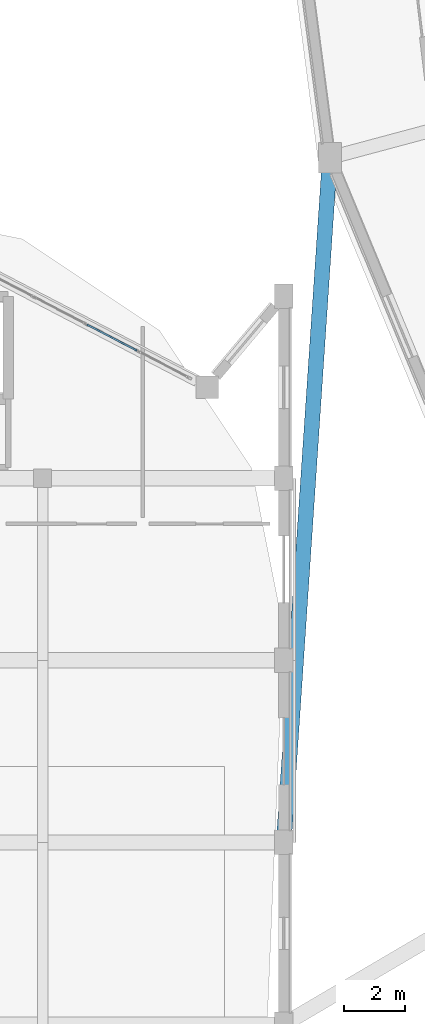
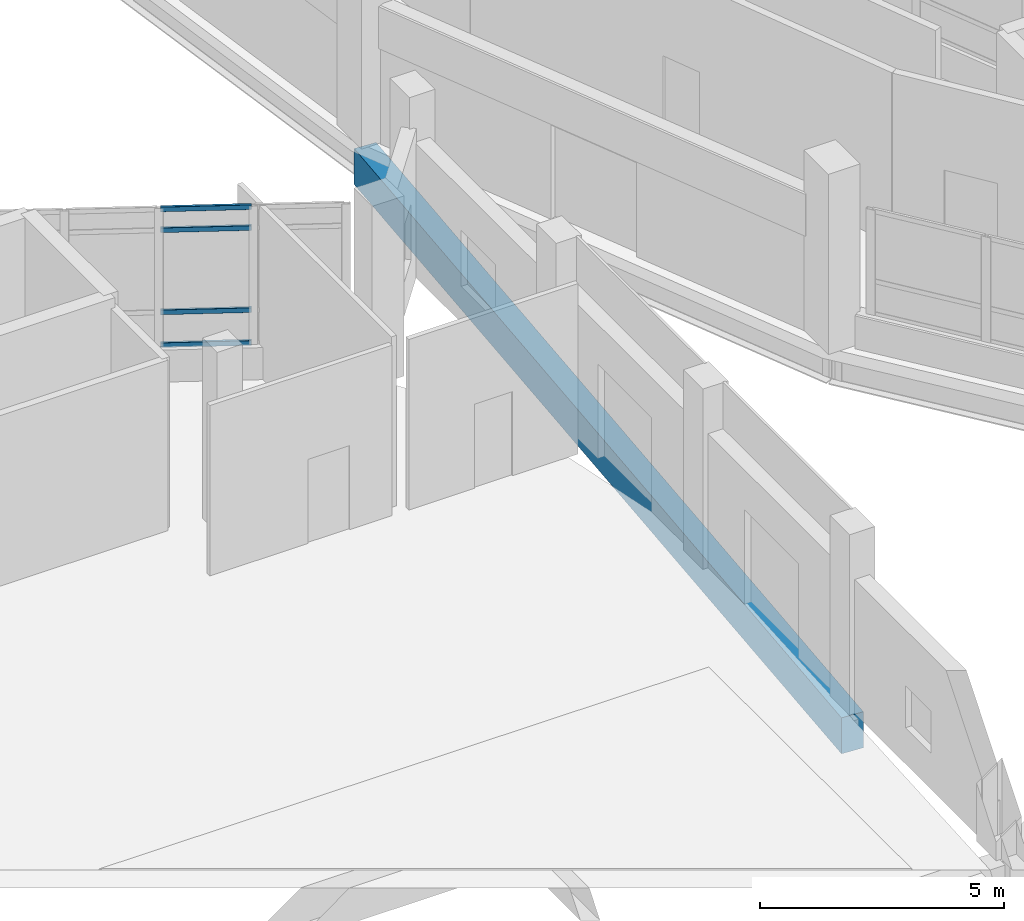
# One storey, part 25 of 129: 4 members, 1 beam, 1 element without a shape of its own.
"""IFC4 building model written with IfcOpenShell, lengths in metres."""

from ifc_helpers import new_model, si_unit, direction, frame, origin, origin_2d, place, context, subcontext, project, spatial, rectangle, hollow_rectangle, extrude, material, layer, layer_set, material_profile, profile_set, type_object, element, aggregate, save


model = new_model("IFC4")

# Units and contexts
model_context = context("Model", 3, precision=1e-05, world=origin(), true_north=direction((0.0, 1.0)))
body_context = subcontext(model_context, "Body", "Model", "MODEL_VIEW")
ifc_project = project(units=[si_unit("LENGTHUNIT", "METRE"), si_unit("AREAUNIT", "SQUARE_METRE"), si_unit("VOLUMEUNIT", "CUBIC_METRE"), si_unit("PLANEANGLEUNIT", "RADIAN"), si_unit("MASSUNIT", "GRAM", prefix="KILO")], contexts=[model_context])

# Site, building, storey
site_placement = place(None, origin())
site = spatial("IfcSite", under=ifc_project, at=site_placement, CompositionType="ELEMENT")
building_placement = place(site_placement, origin())
building = spatial("IfcBuilding", under=site, at=building_placement, Name="Vespera Passage Community Centre", CompositionType="ELEMENT")
storey_placement = place(building_placement, origin())
storey = spatial("IfcBuildingStorey", under=building, at=storey_placement, Name="L00", CompositionType="ELEMENT", Elevation=0.0)

# Beam
ifc_material_1 = material(Name="Concrete f'c 45 MPa", Category="concrete")
ifc_material_profile_1 = material_profile(ifc_material_1, rectangle(XDim=0.5, YDim=0.89990234375, at=origin_2d()), Name="RC500X900")
ifc_profile_set_1 = profile_set([ifc_material_profile_1], Name="Concrete f'c 45 MPa")
beam_type = type_object("IfcBeamType", Name="BM-G-500X900", PredefinedType="BEAM", material=ifc_profile_set_1)
beam_placement = place(storey_placement, frame((31.949951171875, 31.0, -0.7900390625), z_axis=(0.067231784553, 0.997737383857, 0.0), x_axis=(-0.997737383857, 0.067231784553, 0.0)))
element("IfcBeam", 1, at=beam_placement, inside=storey, type_object=beam_type, Name="Subgrade Structural Tie Girder 1", PredefinedType="BEAM", context=body_context, shape_type="SweptSolid", body=[
    extrude(rectangle(XDim=0.5, YDim=0.89990234375, at=origin_2d()), origin(), (0.0, 0.0, 1.0), 22.61962890625),
])

# Curtain wall, members
ifc_material_2 = material(Name="Anodized aluminium 6063-T6", Category="aluminium")
ifc_layer = layer(ifc_material_2, 0.159912109375)
ifc_layer_set = layer_set([ifc_layer], Name="Anodized aluminium 6063-T6")
curtain_wall_type = type_object("IfcCurtainWallType", Name="CW-83E", PredefinedType="NOTDEFINED", material=ifc_layer_set)
curtain_wall_placement = place(storey_placement, origin())
curtain_wall = element("IfcCurtainWall", 2, at=curtain_wall_placement, inside=storey, type_object=curtain_wall_type, Name="V1 L00 N Apse Ribbon Curtain Wall 3", PredefinedType="NOTDEFINED")
ifc_material_3 = material(Name="Anodized aluminium 6063-T6", Category="aluminium")
ifc_material_profile_2 = material_profile(ifc_material_3, hollow_rectangle(XDim=0.06005859375, YDim=0.1201171875, WallThickness=0.00390625, InnerFilletRadius=0.001953125, OuterFilletRadius=0.00390625, at=origin_2d()), Name="ALU120X60X4")
ifc_profile_set_2 = profile_set([ifc_material_profile_2], Name="Anodized aluminium 6063-T6")
member_type = type_object("IfcMemberType", Name="MB-CWT-120E", PredefinedType="USERDEFINED", material=ifc_profile_set_2)
member_1_placement = place(storey_placement, frame((25.462890625, 48.065185546875, 0.830078125), z_axis=(0.887008197889, -0.461753675544, 0.0), x_axis=(0.461753675544, 0.887008197889, 0.0)))
member_1 = element("IfcMember", 3, at=member_1_placement, type_object=member_type, Name="CW-83E transom 5.1", ObjectType="TRANSOM", PredefinedType="USERDEFINED", context=body_context, shape_type="SweptSolid", body=[
    extrude(hollow_rectangle(XDim=0.06005859375, YDim=0.1201171875, WallThickness=0.00390625, InnerFilletRadius=0.001953125, OuterFilletRadius=0.00390625, at=origin_2d()), origin(), (0.0, 0.0, 1.0), 1.859619140625),
])
member_2_placement = place(storey_placement, frame((25.462890625, 48.065185546875, 1.64990234375), z_axis=(0.887008197889, -0.461753675544, 0.0), x_axis=(0.461753675544, 0.887008197889, 0.0)))
member_2 = element("IfcMember", 4, at=member_2_placement, type_object=member_type, Name="CW-83E transom 5.2", ObjectType="TRANSOM", PredefinedType="USERDEFINED", context=body_context, shape_type="SweptSolid", body=[
    extrude(hollow_rectangle(XDim=0.06005859375, YDim=0.1201171875, WallThickness=0.00390625, InnerFilletRadius=0.001953125, OuterFilletRadius=0.00390625, at=origin_2d()), origin(), (0.0, 0.0, 1.0), 1.859619140625),
])
member_3_placement = place(storey_placement, frame((25.462890625, 48.065185546875, 3.699951171875), z_axis=(0.887008197889, -0.461753675544, 0.0), x_axis=(0.461753675544, 0.887008197889, 0.0)))
member_3 = element("IfcMember", 5, at=member_3_placement, type_object=member_type, Name="CW-83E transom 5.3", ObjectType="TRANSOM", PredefinedType="USERDEFINED", context=body_context, shape_type="SweptSolid", body=[
    extrude(hollow_rectangle(XDim=0.06005859375, YDim=0.1201171875, WallThickness=0.00390625, InnerFilletRadius=0.001953125, OuterFilletRadius=0.00390625, at=origin_2d()), origin(), (0.0, 0.0, 1.0), 1.859619140625),
])
member_4_placement = place(storey_placement, frame((25.462890625, 48.065185546875, 4.219970703125), z_axis=(0.887008197889, -0.461753675544, 0.0), x_axis=(0.461753675544, 0.887008197889, 0.0)))
member_4 = element("IfcMember", 6, at=member_4_placement, type_object=member_type, Name="CW-83E transom 5.4", ObjectType="TRANSOM", PredefinedType="USERDEFINED", context=body_context, shape_type="SweptSolid", body=[
    extrude(hollow_rectangle(XDim=0.06005859375, YDim=0.1201171875, WallThickness=0.00390625, InnerFilletRadius=0.001953125, OuterFilletRadius=0.00390625, at=origin_2d()), origin(), (0.0, 0.0, 1.0), 1.859619140625),
])
aggregate(curtain_wall, [member_1, member_2, member_3, member_4])

save(model, "model.ifc")
